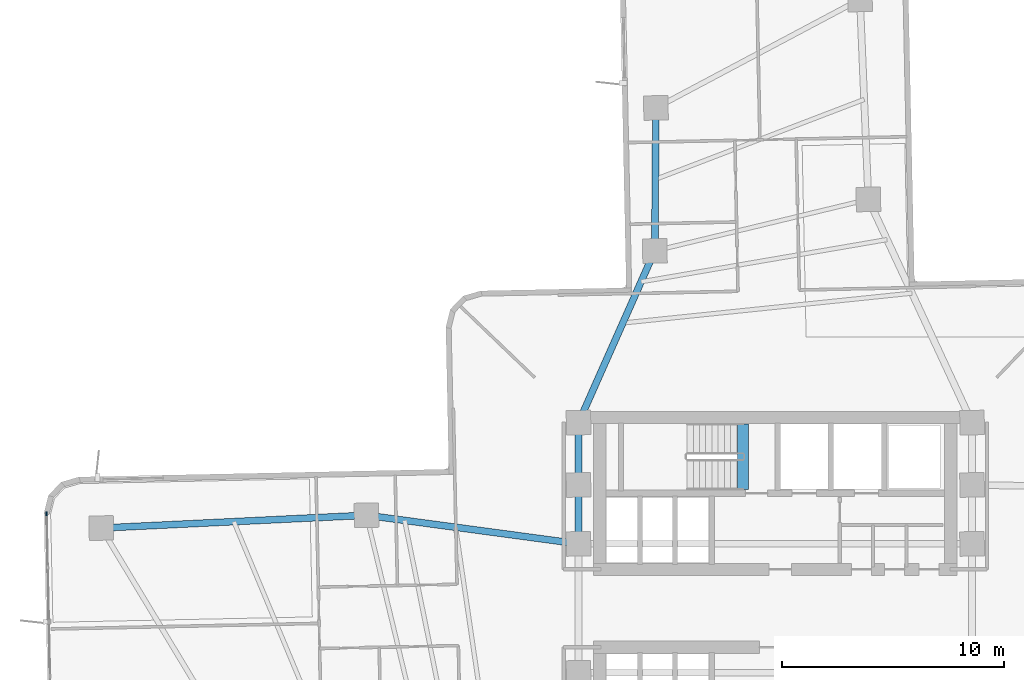
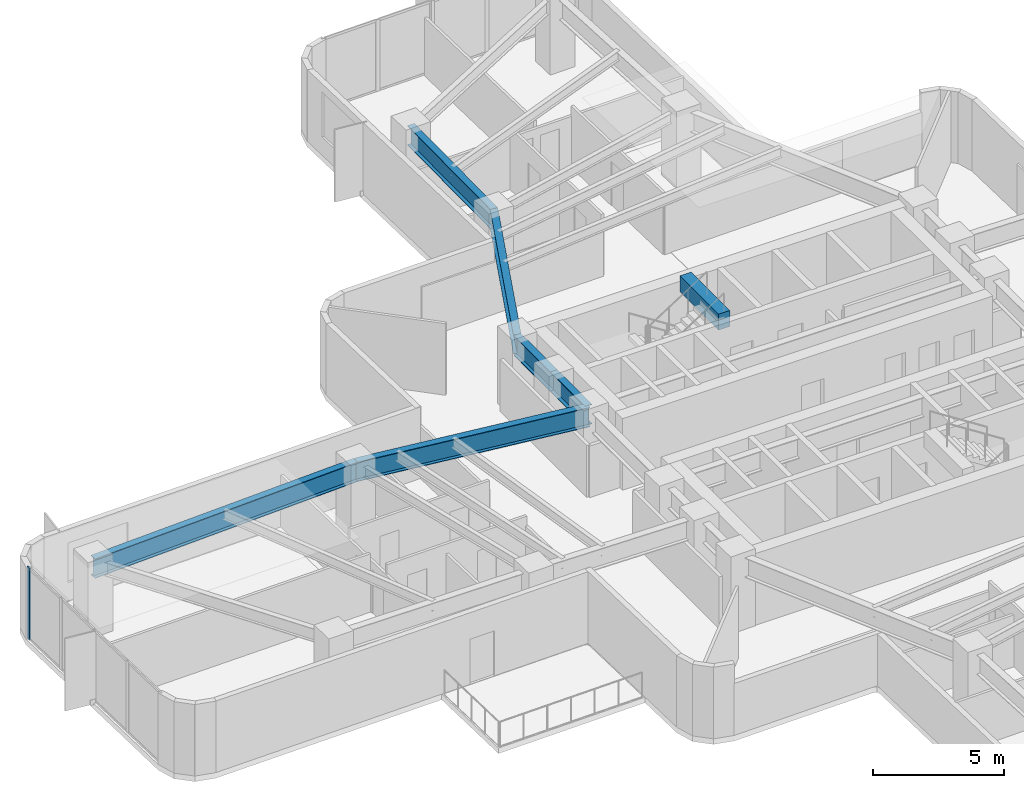
# One storey, part 4 of 15: 7 beams, 1 member, 1 element without a shape of its own.
"""IFC4 building model written with IfcOpenShell, lengths in metres."""

from ifc_helpers import new_model, si_unit, direction, frame, origin, origin_2d, place, context, subcontext, project, spatial, rectangle, i_section, extrude, material, layer, layer_set, material_profile, profile_set, type_object, element, aggregate, save


model = new_model("IFC4")

# Units and contexts
model_context = context("Model", 3, precision=1e-05, world=origin(), true_north=direction((0.0, 1.0)))
body_context = subcontext(model_context, "Body", "Model", "MODEL_VIEW")
ifc_project = project(units=[si_unit("LENGTHUNIT", "METRE"), si_unit("AREAUNIT", "SQUARE_METRE"), si_unit("VOLUMEUNIT", "CUBIC_METRE"), si_unit("PLANEANGLEUNIT", "RADIAN"), si_unit("MASSUNIT", "GRAM", prefix="KILO")], contexts=[model_context])

# Site, building, storey
site_placement = place(None, origin())
site = spatial("IfcSite", under=ifc_project, at=site_placement, CompositionType="ELEMENT")
building_placement = place(site_placement, origin())
building = spatial("IfcBuilding", under=site, at=building_placement, Name="Solmarez Civic Tower", CompositionType="ELEMENT")
storey_placement = place(building_placement, frame((0.0, 0.0, 38.8798828125)))
storey = spatial("IfcBuildingStorey", under=building, at=storey_placement, Name="L09", CompositionType="ELEMENT", Elevation=38.8798828125)

# Beams
ifc_material_1 = material(Name="Concrete C50/60", Category="concrete")
ifc_material_profile_1 = material_profile(ifc_material_1, rectangle(XDim=0.5, YDim=0.75, at=origin_2d()), Name="RC500X750")
ifc_profile_set_1 = profile_set([ifc_material_profile_1], Name="Concrete C50/60")
beam_type_1 = type_object("IfcBeamType", Name="BM-PR-RC500X750", PredefinedType="BEAM", material=ifc_profile_set_1)
beam_1_placement = place(storey_placement, frame((-1.449951171875, 5.340087890625, 3.233154296875), z_axis=(0.0, 1.0, 0.0), x_axis=(-1.0, 0.0, 0.0)))
element("IfcBeam", 1, at=beam_1_placement, inside=storey, type_object=beam_type_1, Name="L09 North Stair Threshold Beam", PredefinedType="BEAM", context=body_context, shape_type="SweptSolid", body=[
    extrude(rectangle(XDim=0.5, YDim=0.75, at=origin_2d()), origin(), (0.0, 0.0, 1.0), 2.9599609375),
])
ifc_material_2 = material(Name="Steel S355", Category="steel")
ifc_material_profile_2 = material_profile(ifc_material_2, i_section(OverallWidth=0.303955078125, OverallDepth=0.910888671875, WebThickness=0.015869140625, FlangeThickness=0.02392578125, at=origin_2d()), Name="W36X150")
ifc_profile_set_2 = profile_set([ifc_material_profile_2], Name="Steel S355")
beam_type_2 = type_object("IfcBeamType", Name="BM-PR-W36X150", PredefinedType="BEAM", material=ifc_profile_set_2)
beam_2_placement = place(storey_placement, frame((-8.85009765625, 8.35009765625, 2.884033203125), z_axis=(0.405693556952, 0.914009156326, 0.0), x_axis=(-0.914009156326, 0.405693556952, 0.0)))
element("IfcBeam", 2, at=beam_2_placement, inside=storey, type_object=beam_type_2, Name="L09 Primary Floor Beam BM-L09-NA-R1B", PredefinedType="BEAM", context=body_context, shape_type="SweptSolid", body=[
    extrude(i_section(OverallWidth=0.303955078125, OverallDepth=0.910888671875, WebThickness=0.015869140625, FlangeThickness=0.02392578125, at=origin_2d()), origin(), (0.0, 0.0, 1.0), 8.45263671875),
])
beam_3_placement = place(storey_placement, frame((-5.4208984375, 16.075927734375, 2.884033203125), z_axis=(0.007592219108, 0.999971178689, 0.0), x_axis=(-0.999971178689, 0.007592219108, 0.0)))
element("IfcBeam", 3, at=beam_3_placement, inside=storey, type_object=beam_type_2, Name="L09 Primary Floor Beam BM-L09-NA-R2B", PredefinedType="BEAM", context=body_context, shape_type="SweptSolid", body=[
    extrude(i_section(OverallWidth=0.303955078125, OverallDepth=0.910888671875, WebThickness=0.015869140625, FlangeThickness=0.02392578125, at=origin_2d()), origin(), (0.0, 0.0, 1.0), 6.431396484375),
])
beam_4_placement = place(storey_placement, frame((-8.85009765625, 2.89990234375, 2.884033203125), z_axis=(-0.991063240718, 0.133392851745, 0.0), x_axis=(-0.133392851745, -0.991063240718, 0.0)))
element("IfcBeam", 4, at=beam_4_placement, inside=storey, type_object=beam_type_2, Name="L09 Primary Floor Beam BM-L09-WA-R1A", PredefinedType="BEAM", context=body_context, shape_type="SweptSolid", body=[
    extrude(i_section(OverallWidth=0.303955078125, OverallDepth=0.910888671875, WebThickness=0.015869140625, FlangeThickness=0.02392578125, at=origin_2d()), origin(), (0.0, 0.0, 1.0), 9.626953125),
])
beam_5_placement = place(storey_placement, frame((-18.39111328125, 4.18408203125, 2.884033203125), z_axis=(-0.998839135977, -0.048170327398, 0.0), x_axis=(0.048170327398, -0.998839135977, 0.0)))
element("IfcBeam", 5, at=beam_5_placement, inside=storey, type_object=beam_type_2, Name="L09 Primary Floor Beam BM-L09-WA-R2A", PredefinedType="BEAM", context=body_context, shape_type="SweptSolid", body=[
    extrude(i_section(OverallWidth=0.303955078125, OverallDepth=0.910888671875, WebThickness=0.015869140625, FlangeThickness=0.02392578125, at=origin_2d()), origin(), (0.0, 0.0, 1.0), 11.94091796875),
])
ifc_material_profile_3 = material_profile(ifc_material_2, i_section(OverallWidth=0.306884765625, OverallDepth=0.927001953125, WebThickness=0.019287109375, FlangeThickness=0.031982421875, at=origin_2d()), Name="W36X194")
ifc_profile_set_3 = profile_set([ifc_material_profile_3], Name="Steel S355")
beam_type_3 = type_object("IfcBeamType", Name="BM-PR-W36X194", PredefinedType="BEAM", material=ifc_profile_set_3)
beam_6_placement = place(storey_placement, frame((-8.85009765625, 2.89990234375, 2.876220703125), z_axis=(0.0, 1.0, 0.0), x_axis=(-1.0, 0.0, 0.0)))
element("IfcBeam", 6, at=beam_6_placement, inside=storey, type_object=beam_type_3, Name="L09 Primary Floor Beam BM-L09-HC3-HC4", PredefinedType="BEAM", context=body_context, shape_type="SweptSolid", body=[
    extrude(i_section(OverallWidth=0.306884765625, OverallDepth=0.927001953125, WebThickness=0.019287109375, FlangeThickness=0.031982421875, at=origin_2d()), origin(), (0.0, 0.0, 1.0), 2.650146484375),
])
beam_7_placement = place(storey_placement, frame((-8.85009765625, 5.550048828125, 2.876220703125), z_axis=(0.0, 1.0, 0.0), x_axis=(-1.0, 0.0, 0.0)))
element("IfcBeam", 7, at=beam_7_placement, inside=storey, type_object=beam_type_3, Name="L09 Primary Floor Beam BM-L09-HC4-HC9", PredefinedType="BEAM", context=body_context, shape_type="SweptSolid", body=[
    extrude(i_section(OverallWidth=0.306884765625, OverallDepth=0.927001953125, WebThickness=0.019287109375, FlangeThickness=0.031982421875, at=origin_2d()), origin(), (0.0, 0.0, 1.0), 2.800048828125),
])

# Curtain wall, member
ifc_material_3 = material(Name="Bronze Anodised Aluminium EN AW-6063 T6", Category="aluminium")
ifc_layer = layer(ifc_material_3, 0.155029296875)
ifc_layer_set = layer_set([ifc_layer], Name="Bronze Anodised Aluminium EN AW-6063 T6")
curtain_wall_type = type_object("IfcCurtainWallType", Name="CW-SYS-6", PredefinedType="NOTDEFINED", material=ifc_layer_set)
curtain_wall_placement = place(storey_placement, origin())
curtain_wall = element("IfcCurtainWall", 8, at=curtain_wall_placement, inside=storey, type_object=curtain_wall_type, Name="L09 Stick-Built Curtain Wall 1", PredefinedType="NOTDEFINED")
ifc_material_profile_4 = material_profile(ifc_material_3, rectangle(XDim=0.070068359375, YDim=0.179931640625, at=origin_2d()), Name="CWM-70X180")
ifc_profile_set_4 = profile_set([ifc_material_profile_4], Name="Bronze Anodised Aluminium EN AW-6063 T6")
member_type = type_object("IfcMemberType", Name="CWM-TYPE-2", PredefinedType="MULLION", material=ifc_profile_set_4)
member_placement = place(storey_placement, frame((-32.7763671875, 4.2490234375, 0.0), z_axis=(0.0, 0.0, 1.0), x_axis=(-0.999780252813, -0.020962969398, 0.0)))
member = element("IfcMember", 9, at=member_placement, type_object=member_type, Name="CWS6 mullion 5", PredefinedType="MULLION", context=body_context, shape_type="SweptSolid", body=[
    extrude(rectangle(XDim=0.070068359375, YDim=0.179931640625, at=origin_2d()), origin(), (0.0, 0.0, 1.0), 3.340087890625),
])
aggregate(curtain_wall, [member])

save(model, "model.ifc")
